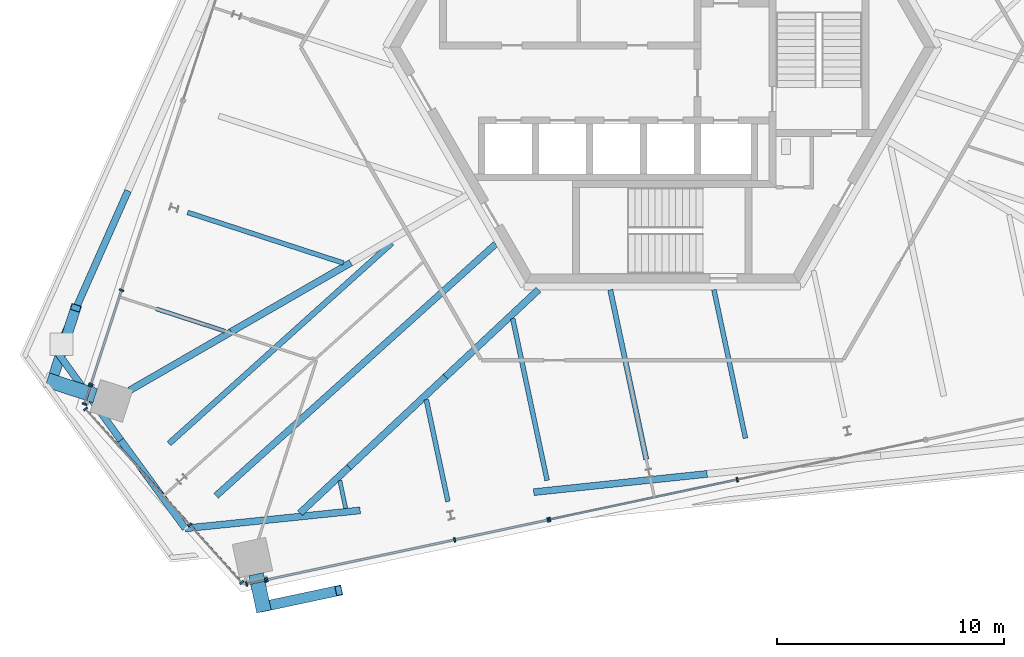
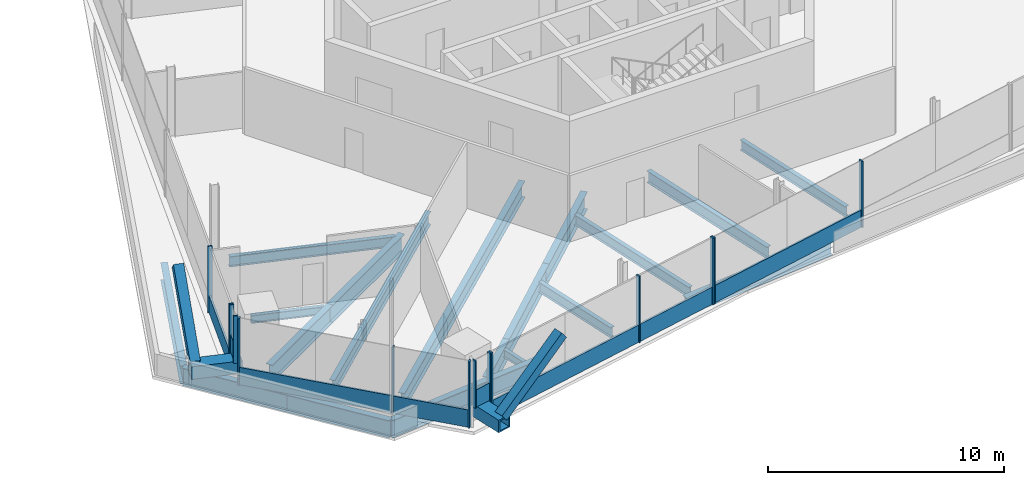
# One storey, part 4 of 20: 26 members, 19 beams, 6 elements without a shape of their own.
"""IFC4 building model written with IfcOpenShell, lengths in metres."""

import ifcopenshell
import ifcopenshell.guid

model = None  # the IFC model being written
_history = None  # IfcOwnerHistory: only IFC2X3 demands one
_inside = {}  # id of a spatial element -> (the spatial element, [elements in it])
_under = {}  # id of a project, library or spatial element -> (it, [spatial elements below it])
_declared = {}  # id of a project -> (the project, [libraries it declares])
_typed = {}  # id of a type object -> (the type object, [elements of that type])
_made_of = {}  # id of a material, layer set ... -> (it, [elements and type objects made of it])


def new_model(schema):
    """Start an empty IFC model of exactly this schema.

    Asked for "IFC4X3", IfcOpenShell would pick the latest addendum, in which some entities
    have other attributes; the version numbers below select the first issue.
    IFC2X3 requires an IfcOwnerHistory on every rooted entity: one is made here for all.
    """
    global model, _history
    if schema == "IFC4X3":
        model = ifcopenshell.file(schema_version=(4, 3, 0, 0))
    else:
        model = ifcopenshell.file(schema=schema)
    _inside.clear()
    _under.clear()
    _declared.clear()
    _typed.clear()
    _made_of.clear()
    _history = None
    if model.schema == "IFC2X3":
        org = make("IfcOrganization", Name="unknown")
        user = make(
            "IfcPersonAndOrganization",
            ThePerson=make("IfcPerson", FamilyName="unknown"),
            TheOrganization=org,
        )
        app = make(
            "IfcApplication",
            ApplicationDeveloper=org,
            Version="unknown",
            ApplicationFullName="unknown",
            ApplicationIdentifier="unknown",
        )
        _history = make(
            "IfcOwnerHistory",
            OwningUser=user,
            OwningApplication=app,
            ChangeAction="ADDED",
            CreationDate=0,
        )
    return model


def make(cls, **values):
    """One entity of the class cls with the attributes given. An attribute that is None is left unset."""
    return model.create_entity(
        cls, **{name: value for name, value in values.items() if value is not None}
    )


def rooted(cls, **values):
    """An entity with a GlobalId (a new one), such as an element, a storey or a relation."""
    return make(cls, GlobalId=ifcopenshell.guid.new(), OwnerHistory=_history, **values)


def si_unit(unit_type, name, prefix=None):
    """IfcSIUnit, for example si_unit("LENGTHUNIT", "METRE", prefix="MILLI")."""
    return make("IfcSIUnit", UnitType=unit_type, Prefix=prefix, Name=name)


def assignment(units):
    """IfcUnitAssignment: the units of a project."""
    return None if units is None else make("IfcUnitAssignment", Units=units)


def point(xyz):
    """IfcCartesianPoint."""
    return None if xyz is None else make("IfcCartesianPoint", Coordinates=xyz)


def direction(xyz):
    """IfcDirection."""
    return None if xyz is None else make("IfcDirection", DirectionRatios=xyz)


def frame(location, z_axis=None, x_axis=None):
    """IfcAxis2Placement3D, a coordinate frame: its origin and axes. An axis left out is left unset."""
    return make(
        "IfcAxis2Placement3D",
        Location=point(location),
        Axis=direction(z_axis),
        RefDirection=direction(x_axis),
    )


def frame_2d(location, x_axis=None):
    """IfcAxis2Placement2D, a coordinate frame in the plane: its origin and x axis."""
    return make(
        "IfcAxis2Placement2D", Location=point(location), RefDirection=direction(x_axis)
    )


def origin():
    """The frame at (0, 0, 0) with its axes left unset."""
    return frame((0.0, 0.0, 0.0))


def origin_2d():
    """The frame at (0, 0) in the plane with its x axis left unset."""
    return frame_2d((0.0, 0.0))


def place(relative_to, where):
    """IfcLocalPlacement: puts the frame where relative to a parent placement (None: the world)."""
    return make(
        "IfcLocalPlacement", PlacementRelTo=relative_to, RelativePlacement=where
    )


def context(
    kind, dimensions, precision=None, world=None, true_north=None, identifier=None
):
    """IfcGeometricRepresentationContext, for example the 3D "Model" context."""
    return make(
        "IfcGeometricRepresentationContext",
        ContextIdentifier=identifier,
        ContextType=kind,
        CoordinateSpaceDimension=dimensions,
        Precision=precision,
        WorldCoordinateSystem=world,
        TrueNorth=true_north,
    )


def subcontext(parent, identifier, kind, view, scale=None):
    """IfcGeometricRepresentationSubContext, for example "Body" below "Model"."""
    return make(
        "IfcGeometricRepresentationSubContext",
        ContextIdentifier=identifier,
        ContextType=kind,
        ParentContext=parent,
        TargetScale=scale,
        TargetView=view,
    )


def project(units=None, contexts=None):
    """IfcProject with its units and contexts."""
    return rooted(
        "IfcProject",
        Name="project",
        RepresentationContexts=contexts,
        UnitsInContext=assignment(units),
    )


def spatial(cls, under=None, at=None, **own):
    """A site, building, storey or space (cls), placed at a placement, below another one or the project."""
    s = rooted(cls, ObjectPlacement=at, **own)
    if under is not None:
        _under.setdefault(under.id(), (under, []))[1].append(s)
    return s


def profile(cls, at=None, kind="AREA", **sizes):
    """A parametric profile (cls). Its sizes go by their IFC names, for example OverallWidth=200.0."""
    return make(cls, ProfileType=kind, Position=at, **sizes)


def rectangle(**sizes):
    """IfcRectangleProfileDef."""
    return profile("IfcRectangleProfileDef", **sizes)


def hollow_rectangle(**sizes):
    """IfcRectangleHollowProfileDef."""
    return profile("IfcRectangleHollowProfileDef", **sizes)


def i_section(**sizes):
    """IfcIShapeProfileDef."""
    return profile("IfcIShapeProfileDef", **sizes)


def extrude(swept, where, along, depth):
    """IfcExtrudedAreaSolid: the profile swept, set in the frame where, extruded along a direction by depth."""
    return make(
        "IfcExtrudedAreaSolid",
        SweptArea=swept,
        Position=where,
        ExtrudedDirection=direction(along),
        Depth=depth,
    )


def shape(context_of_items, identifier, shape_type, items):
    """IfcShapeRepresentation: the items that make up one representation, for example the "Body"."""
    return make(
        "IfcShapeRepresentation",
        ContextOfItems=context_of_items,
        RepresentationIdentifier=identifier,
        RepresentationType=shape_type,
        Items=items,
    )


def source(mapping_origin, context_of_items, identifier, shape_type, items):
    """IfcRepresentationMap: a shape defined once, which mapped items show again and again."""
    return make(
        "IfcRepresentationMap",
        MappingOrigin=mapping_origin,
        MappedRepresentation=shape(context_of_items, identifier, shape_type, items),
    )


def transform(
    local_origin,
    x_axis=None,
    y_axis=None,
    z_axis=None,
    scale=None,
    scale2=None,
    scale3=None,
    uniform=True,
):
    """IfcCartesianTransformationOperator3D, or its non-uniform kind. x_axis, y_axis, z_axis: its Axis1, 2, 3."""
    if uniform:
        return make(
            "IfcCartesianTransformationOperator3D",
            Axis1=direction(x_axis),
            Axis2=direction(y_axis),
            LocalOrigin=point(local_origin),
            Scale=scale,
            Axis3=direction(z_axis),
        )
    return make(
        "IfcCartesianTransformationOperator3DnonUniform",
        Axis1=direction(x_axis),
        Axis2=direction(y_axis),
        LocalOrigin=point(local_origin),
        Scale=scale,
        Axis3=direction(z_axis),
        Scale2=scale2,
        Scale3=scale3,
    )


def mapped(mapping_source, mapping_target):
    """IfcMappedItem: shows the shape of a source again, moved by a transform."""
    return make(
        "IfcMappedItem", MappingSource=mapping_source, MappingTarget=mapping_target
    )


def material(Name=None, Category=None):
    """IfcMaterial."""
    return make("IfcMaterial", Name=Name, Category=Category)


def material_profile(
    of_material, cross_section, Name=None, Category=None, Priority=None
):
    """IfcMaterialProfile: a cross section and its material."""
    return make(
        "IfcMaterialProfile",
        Name=Name,
        Material=of_material,
        Profile=cross_section,
        Priority=Priority,
        Category=Category,
    )


def profile_set(profiles, Name=None, composite=None):
    """IfcMaterialProfileSet."""
    return make(
        "IfcMaterialProfileSet",
        Name=Name,
        MaterialProfiles=profiles,
        CompositeProfile=composite,
    )


def made_of(thing, what):
    """Note that an element or type object is made of a material, layer set ...; save() writes the relation."""
    if what is not None:
        _made_of.setdefault(what.id(), (what, []))[1].append(thing)
    return thing


def type_object(cls, material=None, **own):
    """A type object (cls), such as IfcWallType, which elements share."""
    return made_of(rooted(cls, **own), material)


def element(
    cls,
    number,
    at=None,
    inside=None,
    cuts=None,
    type_object=None,
    material=None,
    context=None,
    identifier="Body",
    shape_type=None,
    held_by="IfcProductDefinitionShape",
    body=None,
    shapes=None,
    **own,
):
    """One element of the class cls, such as IfcWall. Its Tag is "e" and its number.

    at: its placement. inside: the storey or other place that contains it. cuts: it is an
    opening in that element (IfcRelVoidsElement). A single representation is given by context,
    identifier, shape_type and body (its items); several are given by shapes. held_by: the class
    of the entity that holds the representations. save() writes the other relations.
    """
    e = rooted(cls, Tag="e%d" % number, ObjectPlacement=at, **own)
    if body is not None:
        shapes = [shape(context, identifier, shape_type, body)]
    if shapes is not None:
        e.Representation = make(held_by, Representations=shapes)
    if inside is not None:
        _inside.setdefault(inside.id(), (inside, []))[1].append(e)
    if cuts is not None:
        rooted(
            "IfcRelVoidsElement", RelatingBuildingElement=cuts, RelatedOpeningElement=e
        )
    if type_object is not None:
        _typed.setdefault(type_object.id(), (type_object, []))[1].append(e)
    return made_of(e, material)


def aggregate(whole, parts):
    """IfcRelAggregates: a whole, such as a stair, and the parts it consists of."""
    return rooted("IfcRelAggregates", RelatingObject=whole, RelatedObjects=parts)


def save(model, path):
    """Write the relations noted so far, then the file.

    IfcRelAggregates (storeys below a building ...), IfcRelContainedInSpatialStructure (elements
    in a storey), IfcRelDefinesByType, IfcRelAssociatesMaterial and IfcRelDeclares: one each for
    every whole, place, type object, material and project.
    """
    for whole, parts in _under.values():
        aggregate(whole, parts)
    for where, things in _inside.values():
        rooted(
            "IfcRelContainedInSpatialStructure",
            RelatedElements=things,
            RelatingStructure=where,
        )
    for kind, things in _typed.values():
        rooted("IfcRelDefinesByType", RelatedObjects=things, RelatingType=kind)
    for what, things in _made_of.values():
        rooted("IfcRelAssociatesMaterial", RelatedObjects=things, RelatingMaterial=what)
    for by, libraries in _declared.values():
        rooted("IfcRelDeclares", RelatingContext=by, RelatedDefinitions=libraries)
    model.write(path)


model = new_model("IFC4")

# Units and contexts
model_context = context("Model", 3, precision=1e-05, world=origin(), true_north=direction((0.0, 1.0)))
body_context = subcontext(model_context, "Body", "Model", "MODEL_VIEW")
ifc_project = project(units=[si_unit("LENGTHUNIT", "METRE"), si_unit("AREAUNIT", "SQUARE_METRE"), si_unit("VOLUMEUNIT", "CUBIC_METRE"), si_unit("PLANEANGLEUNIT", "RADIAN"), si_unit("MASSUNIT", "GRAM", prefix="KILO")], contexts=[model_context])

# Site, building, storey
site_placement = place(None, origin())
site = spatial("IfcSite", under=ifc_project, at=site_placement, CompositionType="ELEMENT")
building_placement = place(site_placement, origin())
building = spatial("IfcBuilding", under=site, at=building_placement, Name="Triune Harvest Tower", CompositionType="ELEMENT")
storey_placement = place(building_placement, frame((0.0, 0.0, 259.5)))
storey = spatial("IfcBuildingStorey", under=building, at=storey_placement, Name="L68", CompositionType="ELEMENT", Elevation=259.5)

# Beams
ifc_material_1 = material(Name="Steel ASTM A992 Gr 50", Category="steel")
ifc_material_profile_1 = material_profile(ifc_material_1, i_section(OverallWidth=0.3046875, OverallDepth=0.914306640625, WebThickness=0.0166015625, FlangeThickness=0.02587890625, at=origin_2d()), Name="W36x160")
ifc_profile_set_1 = profile_set([ifc_material_profile_1], Name="Steel ASTM A992 Gr 50")
beam_type_1 = type_object("IfcBeamType", Name="HG-3 Hip girder W36x160", PredefinedType="BEAM", material=ifc_profile_set_1)
beam_1_placement = place(storey_placement, frame((-23.439697265625, -15.122802734375, -0.6171875), z_axis=(0.866022940537, 0.500004266446, 0.0), x_axis=(-0.500004266446, 0.866022940537, 0.0)))
element("IfcBeam", 1, at=beam_1_placement, inside=storey, type_object=beam_type_1, Name="beam/L68/HG7", PredefinedType="BEAM", context=body_context, shape_type="SweptSolid", body=[
    extrude(i_section(OverallWidth=0.3046875, OverallDepth=0.914306640625, WebThickness=0.0166015625, FlangeThickness=0.02587890625, at=origin_2d()), origin(), (0.0, 0.0, 1.0), 5.1494140625),
])
beam_2_placement = place(storey_placement, frame((-18.980224609375, -12.548095703125, -0.6171875), z_axis=(0.866019173032, 0.500010791825, 0.0), x_axis=(-0.500010791825, 0.866019173032, 0.0)))
element("IfcBeam", 2, at=beam_2_placement, inside=storey, type_object=beam_type_1, Name="beam/L68/HG8", PredefinedType="BEAM", context=body_context, shape_type="SweptSolid", body=[
    extrude(i_section(OverallWidth=0.3046875, OverallDepth=0.914306640625, WebThickness=0.0166015625, FlangeThickness=0.02587890625, at=origin_2d()), origin(), (0.0, 0.0, 1.0), 6.083251953125),
])
beam_3_placement = place(storey_placement, frame((-15.949951171875, -20.52978515625, -0.6171875), z_axis=(0.729855958131, 0.683600965755, 0.0), x_axis=(-0.683600965755, 0.729855958131, 0.0)))
element("IfcBeam", 3, at=beam_3_placement, inside=storey, type_object=beam_type_1, Name="beam/L68/HG10", PredefinedType="BEAM", context=body_context, shape_type="SweptSolid", body=[
    extrude(i_section(OverallWidth=0.3046875, OverallDepth=0.914306640625, WebThickness=0.0166015625, FlangeThickness=0.02587890625, at=origin_2d()), origin(), (0.0, 0.0, 1.0), 2.9609375),
])
beam_4_placement = place(storey_placement, frame((-13.788818359375, -18.505615234375, -0.6171875), z_axis=(0.72991101913, 0.683542174377, 0.0), x_axis=(-0.683542174377, 0.72991101913, 0.0)))
element("IfcBeam", 4, at=beam_4_placement, inside=storey, type_object=beam_type_1, Name="beam/L68/HG11", PredefinedType="BEAM", context=body_context, shape_type="SweptSolid", body=[
    extrude(i_section(OverallWidth=0.3046875, OverallDepth=0.914306640625, WebThickness=0.0166015625, FlangeThickness=0.02587890625, at=origin_2d()), origin(), (0.0, 0.0, 1.0), 5.8232421875),
])
beam_5_placement = place(storey_placement, frame((-9.538330078125, -14.525146484375, -0.6171875), z_axis=(0.72989736669, 0.683556752654, 0.0), x_axis=(-0.683556752654, 0.72989736669, 0.0)))
element("IfcBeam", 5, at=beam_5_placement, inside=storey, type_object=beam_type_1, Name="beam/L68/HG12", PredefinedType="BEAM", context=body_context, shape_type="SweptSolid", body=[
    extrude(i_section(OverallWidth=0.3046875, OverallDepth=0.914306640625, WebThickness=0.0166015625, FlangeThickness=0.02587890625, at=origin_2d()), origin(), (0.0, 0.0, 1.0), 5.600341796875),
])
ifc_material_2 = material(Name="Steel ASTM A992 Gr 50", Category="steel")
ifc_material_profile_2 = material_profile(ifc_material_2, i_section(OverallWidth=0.2099609375, OverallDepth=0.535888671875, WebThickness=0.010986328125, FlangeThickness=0.017333984375, at=origin_2d()), Name="W21x68")
ifc_profile_set_2 = profile_set([ifc_material_profile_2], Name="Steel ASTM A992 Gr 50")
beam_type_2 = type_object("IfcBeamType", Name="JT-2 Floor joist W21x68", PredefinedType="JOIST", material=ifc_profile_set_2)
beam_6_placement = place(storey_placement, frame((-9.43603515625, -20.018798828125, -0.427978515625), z_axis=(-0.207922403659, 0.978145323588, 0.0), x_axis=(-0.978145323588, -0.207922403659, 0.0)))
element("IfcBeam", 6, at=beam_6_placement, inside=storey, type_object=beam_type_2, Name="beam/L68/JT24", PredefinedType="JOIST", context=body_context, shape_type="SweptSolid", body=[
    extrude(i_section(OverallWidth=0.2099609375, OverallDepth=0.535888671875, WebThickness=0.010986328125, FlangeThickness=0.017333984375, at=origin_2d()), origin(), (0.0, 0.0, 1.0), 4.587646484375),
])
beam_7_placement = place(storey_placement, frame((3.663330078125, -17.234375, -0.427978515625), z_axis=(-0.207924725423, 0.978144830052, 0.0), x_axis=(-0.978144830052, -0.207924725423, 0.0)))
element("IfcBeam", 7, at=beam_7_placement, inside=storey, type_object=beam_type_2, Name="beam/L68/JT27", PredefinedType="JOIST", context=body_context, shape_type="SweptSolid", body=[
    extrude(i_section(OverallWidth=0.2099609375, OverallDepth=0.535888671875, WebThickness=0.010986328125, FlangeThickness=0.017333984375, at=origin_2d()), origin(), (0.0, 0.0, 1.0), 6.683349609375),
])
ifc_material_3 = material(Name="Steel ASTM A992 Gr 50", Category="steel")
ifc_material_profile_3 = material_profile(ifc_material_3, i_section(OverallWidth=0.2919921875, OverallDepth=0.8408203125, WebThickness=0.0146484375, FlangeThickness=0.021728515625, at=origin_2d()), Name="W33x130")
ifc_profile_set_3 = profile_set([ifc_material_profile_3], Name="Steel ASTM A992 Gr 50")
beam_type_3 = type_object("IfcBeamType", Name="JT-6 Floor joist W33x130", PredefinedType="JOIST", material=ifc_profile_set_3)
beam_8_placement = place(storey_placement, frame((-19.64453125, -19.769287109375, -0.580322265625), z_axis=(0.743144601832, 0.669130854742, 0.0), x_axis=(-0.669130854742, 0.743144601832, 0.0)))
element("IfcBeam", 8, at=beam_8_placement, inside=storey, type_object=beam_type_3, Name="beam/L68/JT22", PredefinedType="JOIST", context=body_context, shape_type="SweptSolid", body=[
    extrude(i_section(OverallWidth=0.2919921875, OverallDepth=0.8408203125, WebThickness=0.0146484375, FlangeThickness=0.021728515625, at=origin_2d()), origin(), (0.0, 0.0, 1.0), 16.562255859375),
])
ifc_material_4 = material(Name="Steel ASTM A992 Gr 50", Category="steel")
ifc_material_profile_4 = material_profile(ifc_material_4, i_section(OverallWidth=0.3046875, OverallDepth=0.914306640625, WebThickness=0.0166015625, FlangeThickness=0.02587890625, at=origin_2d()), Name="W36x160")
ifc_profile_set_4 = profile_set([ifc_material_profile_4], Name="Steel ASTM A992 Gr 50")
beam_type_4 = type_object("IfcBeamType", Name="SB-1 Spandrel beam W36x160", PredefinedType="SPANDREL", material=ifc_profile_set_4)
shared_shape_1 = source(origin(), body_context, "Body", "SweptSolid", [
    extrude(i_section(OverallWidth=0.3046875, OverallDepth=0.914306640625, WebThickness=0.0166015625, FlangeThickness=0.02587890625, at=origin_2d()), origin(), (0.0, 0.0, 1.0), 7.7392578125),
])
beam_9_placement = place(storey_placement, frame((-23.520263671875, -6.340576171875, -0.6171875), z_axis=(-0.404856079697, -0.914380421232, 0.0), x_axis=(0.914380421232, -0.404856079697, 0.0)))
element("IfcBeam", 9, at=beam_9_placement, inside=storey, type_object=beam_type_4, Name="beam/L68/WB12", PredefinedType="SPANDREL", context=body_context, shape_type="MappedRepresentation", body=[
    mapped(shared_shape_1, transform((0.0, 0.0, 0.0), scale=1.0)),
])
shared_shape_2 = source(origin(), body_context, "Body", "SweptSolid", [
    extrude(i_section(OverallWidth=0.3046875, OverallDepth=0.914306640625, WebThickness=0.0166015625, FlangeThickness=0.02587890625, at=origin_2d()), origin(), (0.0, 0.0, 1.0), 7.67919921875),
])
beam_10_placement = place(storey_placement, frame((-5.660888671875, -19.60693359375, -0.6171875), z_axis=(0.994521467985, 0.104532529465, 0.0), x_axis=(-0.104532529465, 0.994521467985, 0.0)))
element("IfcBeam", 10, at=beam_10_placement, inside=storey, type_object=beam_type_4, Name="beam/L68/WB16", PredefinedType="SPANDREL", context=body_context, shape_type="MappedRepresentation", body=[
    mapped(shared_shape_2, transform((0.0, 0.0, 0.0), scale=1.0)),
])
shared_shape_3 = source(origin(), body_context, "Body", "SweptSolid", [
    extrude(i_section(OverallWidth=0.3046875, OverallDepth=0.914306640625, WebThickness=0.0166015625, FlangeThickness=0.02587890625, at=origin_2d()), origin(), (0.0, 0.0, 1.0), 7.739501953125),
])
beam_11_placement = place(storey_placement, frame((-20.9970703125, -21.202880859375, -0.6171875), z_axis=(0.9947373433, 0.10245788327, 0.0), x_axis=(-0.10245788327, 0.9947373433, 0.0)))
element("IfcBeam", 11, at=beam_11_placement, inside=storey, type_object=beam_type_4, Name="beam/L68/WB15", PredefinedType="SPANDREL", context=body_context, shape_type="MappedRepresentation", body=[
    mapped(shared_shape_3, transform((0.0, 0.0, 0.0), scale=1.0)),
])
shared_shape_4 = source(origin(), body_context, "Body", "SweptSolid", [
    extrude(i_section(OverallWidth=0.3046875, OverallDepth=0.914306640625, WebThickness=0.0166015625, FlangeThickness=0.02587890625, at=origin_2d()), origin(), (0.0, 0.0, 1.0), 4.811767578125),
])
for number, where, z_axis, x_axis, name in (
    (12, (-26.653564453125, -13.417236328125, -0.6171875), (0.585056986572, -0.810992183971, 0.0), (0.810992183971, 0.585056986572, 0.0), "beam/L68/WB13"),
    (13, (-23.83837890625, -17.319580078125, -0.6171875), (0.590492262378, -0.807043299998, 0.0), (0.807043299998, 0.590492262378, 0.0), "beam/L68/WB14"),
):
    element("IfcBeam", number, at=place(storey_placement, frame(where, z_axis=z_axis, x_axis=x_axis)), inside=storey, type_object=beam_type_4, Name=name, PredefinedType="SPANDREL", context=body_context, shape_type="MappedRepresentation", body=[
        mapped(shared_shape_4, transform((0.0, 0.0, 0.0), scale=1.0)),
    ])
ifc_material_5 = material(Name="Steel ASTM A992 Gr 50", Category="steel")
ifc_material_profile_5 = material_profile(ifc_material_5, i_section(OverallWidth=0.180908203125, OverallDepth=0.41650390625, WebThickness=0.010986328125, FlangeThickness=0.01806640625, at=origin_2d()), Name="W16x57")
ifc_profile_set_5 = profile_set([ifc_material_profile_5], Name="Steel ASTM A992 Gr 50")
beam_type_5 = type_object("IfcBeamType", Name="JT-1 Floor joist W16x57", PredefinedType="JOIST", material=ifc_profile_set_5)
shared_shape_5 = source(origin(), body_context, "Body", "SweptSolid", [
    extrude(i_section(OverallWidth=0.180908203125, OverallDepth=0.41650390625, WebThickness=0.010986328125, FlangeThickness=0.01806640625, at=origin_2d()), origin(), (0.0, 0.0, 1.0), 1.253662109375),
])
beam_12_placement = place(storey_placement, frame((-13.935302734375, -20.322265625, -0.368408203125), z_axis=(-0.207972874024, 0.978134593842, 0.0), x_axis=(-0.978134593842, -0.207972874024, 0.0)))
element("IfcBeam", 14, at=beam_12_placement, inside=storey, type_object=beam_type_5, Name="beam/L68/JT23", PredefinedType="JOIST", context=body_context, shape_type="MappedRepresentation", body=[
    mapped(shared_shape_5, transform((0.0, 0.0, 0.0), scale=1.0)),
])
shared_shape_6 = source(origin(), body_context, "Body", "SweptSolid", [
    extrude(i_section(OverallWidth=0.2099609375, OverallDepth=0.535888671875, WebThickness=0.010986328125, FlangeThickness=0.017333984375, at=origin_2d()), origin(), (0.0, 0.0, 1.0), 7.208740234375),
])
beam_13_placement = place(storey_placement, frame((-20.895263671875, -7.2919921875, -0.427978515625), z_axis=(0.951060446887, -0.309004896994, 0.0), x_axis=(0.309004896994, 0.951060446887, 0.0)))
element("IfcBeam", 15, at=beam_13_placement, inside=storey, type_object=beam_type_2, Name="beam/L68/JT19", PredefinedType="JOIST", context=body_context, shape_type="MappedRepresentation", body=[
    mapped(shared_shape_6, transform((0.0, 0.0, 0.0), scale=1.0)),
])
shared_shape_7 = source(origin(), body_context, "Body", "SweptSolid", [
    extrude(i_section(OverallWidth=0.180908203125, OverallDepth=0.41650390625, WebThickness=0.010986328125, FlangeThickness=0.01806640625, at=origin_2d()), origin(), (0.0, 0.0, 1.0), 3.189208984375),
])
beam_14_placement = place(storey_placement, frame((-22.274658203125, -11.537353515625, -0.368408203125), z_axis=(0.951052068604, -0.309030682627, 0.0), x_axis=(0.309030682627, 0.951052068604, 0.0)))
element("IfcBeam", 16, at=beam_14_placement, inside=storey, type_object=beam_type_5, Name="beam/L68/JT20", PredefinedType="JOIST", context=body_context, shape_type="MappedRepresentation", body=[
    mapped(shared_shape_7, transform((0.0, 0.0, 0.0), scale=1.0)),
])
ifc_material_6 = material(Name="Steel ASTM A992 Gr 50", Category="steel")
ifc_material_profile_6 = material_profile(ifc_material_6, i_section(OverallWidth=0.253662109375, OverallDepth=0.683349609375, WebThickness=0.012451171875, FlangeThickness=0.01904296875, at=origin_2d()), Name="W27x94")
ifc_profile_set_6 = profile_set([ifc_material_profile_6], Name="Steel ASTM A992 Gr 50")
beam_type_6 = type_object("IfcBeamType", Name="JT-4 Floor joist W27x94", PredefinedType="JOIST", material=ifc_profile_set_6)
shared_shape_8 = source(origin(), body_context, "Body", "SweptSolid", [
    extrude(i_section(OverallWidth=0.253662109375, OverallDepth=0.683349609375, WebThickness=0.012451171875, FlangeThickness=0.01904296875, at=origin_2d()), origin(), (0.0, 0.0, 1.0), 13.1953125),
])
beam_15_placement = place(storey_placement, frame((-21.71435546875, -17.470458984375, -0.501708984375), z_axis=(0.743150611005, 0.669124180824, 0.0), x_axis=(-0.669124180824, 0.743150611005, 0.0)))
element("IfcBeam", 17, at=beam_15_placement, inside=storey, type_object=beam_type_6, Name="beam/L68/JT21", PredefinedType="JOIST", context=body_context, shape_type="MappedRepresentation", body=[
    mapped(shared_shape_8, transform((0.0, 0.0, 0.0), scale=1.0)),
])
shared_shape_9 = source(origin(), body_context, "Body", "SweptSolid", [
    extrude(i_section(OverallWidth=0.2099609375, OverallDepth=0.535888671875, WebThickness=0.010986328125, FlangeThickness=0.017333984375, at=origin_2d()), origin(), (0.0, 0.0, 1.0), 7.28271484375),
])
beam_16_placement = place(storey_placement, frame((-5.069580078125, -19.090576171875, -0.427978515625), z_axis=(-0.207912481244, 0.978147432723, 0.0), x_axis=(-0.978147432723, -0.207912481244, 0.0)))
element("IfcBeam", 18, at=beam_16_placement, inside=storey, type_object=beam_type_2, Name="beam/L68/JT25", PredefinedType="JOIST", context=body_context, shape_type="MappedRepresentation", body=[
    mapped(shared_shape_9, transform((0.0, 0.0, 0.0), scale=1.0)),
])
ifc_material_7 = material(Name="Steel ASTM A992 Gr 50", Category="steel")
ifc_material_profile_7 = material_profile(ifc_material_7, i_section(OverallWidth=0.22900390625, OverallDepth=0.612060546875, WebThickness=0.011962890625, FlangeThickness=0.01953125, at=origin_2d()), Name="W24x84")
ifc_profile_set_7 = profile_set([ifc_material_profile_7], Name="Steel ASTM A992 Gr 50")
beam_type_7 = type_object("IfcBeamType", Name="JT-3 Floor joist W24x84", PredefinedType="JOIST", material=ifc_profile_set_7)
shared_shape_10 = source(origin(), body_context, "Body", "SweptSolid", [
    extrude(i_section(OverallWidth=0.22900390625, OverallDepth=0.612060546875, WebThickness=0.011962890625, FlangeThickness=0.01953125, at=origin_2d()), origin(), (0.0, 0.0, 1.0), 7.632080078125),
])
beam_17_placement = place(storey_placement, frame((-0.703125, -18.162353515625, -0.466064453125), z_axis=(-0.207925324344, 0.978144702739, 0.0), x_axis=(-0.978144702739, -0.207925324344, 0.0)))
element("IfcBeam", 19, at=beam_17_placement, inside=storey, type_object=beam_type_7, Name="beam/L68/JT26", PredefinedType="JOIST", context=body_context, shape_type="MappedRepresentation", body=[
    mapped(shared_shape_10, transform((0.0, 0.0, 0.0), scale=1.0)),
])

# Members
ifc_material_8 = material(Name="Steel ASTM A572 Gr 50", Category="steel")
ifc_material_profile_8 = material_profile(ifc_material_8, hollow_rectangle(XDim=0.64990234375, YDim=0.64990234375, WallThickness=0.070068359375, at=origin_2d()), Name="Box 650x650x70")
ifc_profile_set_8 = profile_set([ifc_material_profile_8], Name="Steel ASTM A572 Gr 50")
member_type_1 = type_object("IfcMemberType", Name="BS-1 Brace stub Box 650x650x70", PredefinedType="STRUT", material=ifc_profile_set_8)
shared_shape_11 = source(origin(), body_context, "Body", "SweptSolid", [
    extrude(hollow_rectangle(XDim=0.64990234375, YDim=0.64990234375, WallThickness=0.070068359375, at=origin_2d()), origin(), (0.0, 0.0, 1.0), 1.673095703125),
])
member_1_placement = place(storey_placement, frame((-17.88330078125, -23.2197265625, 0.60009765625), z_axis=(0.207944272914, -0.978140674628, 0.0), x_axis=(0.978140674628, 0.207944272914, 0.0)))
element("IfcMember", 20, at=member_1_placement, inside=storey, type_object=member_type_1, Name="brace/B7-F5/stub1", PredefinedType="STRUT", context=body_context, shape_type="MappedRepresentation", body=[
    mapped(shared_shape_11, transform((0.0, 0.0, 0.0), scale=1.0)),
])
shared_shape_12 = source(origin(), body_context, "Body", "SweptSolid", [
    extrude(hollow_rectangle(XDim=0.64990234375, YDim=0.64990234375, WallThickness=0.070068359375, at=origin_2d()), origin(), (0.0, 0.0, 1.0), 2.222900390625),
])
member_2_placement = place(storey_placement, frame((-24.9619140625, -15.35791015625, 0.60009765625), z_axis=(-0.951082481773, 0.308937069426, 0.0), x_axis=(-0.308937069426, -0.951082481773, 0.0)))
element("IfcMember", 21, at=member_2_placement, inside=storey, type_object=member_type_1, Name="brace/B7-F3/stub3", PredefinedType="STRUT", context=body_context, shape_type="MappedRepresentation", body=[
    mapped(shared_shape_12, transform((0.0, 0.0, 0.0), scale=1.0)),
])
ifc_material_9 = material(Name="Steel ASTM A572 Gr 50", Category="steel")
ifc_material_profile_9 = material_profile(ifc_material_9, hollow_rectangle(XDim=0.449951171875, YDim=0.449951171875, WallThickness=0.02490234375, at=origin_2d()), Name="Box 450x450x25")
ifc_profile_set_9 = profile_set([ifc_material_profile_9], Name="Steel ASTM A572 Gr 50")
member_type_2 = type_object("IfcMemberType", Name="BR-4 Brace Box 450x450x25", PredefinedType="BRACE", material=ifc_profile_set_9)
shared_shape_13 = source(origin(), body_context, "Body", "SweptSolid", [
    extrude(hollow_rectangle(XDim=0.449951171875, YDim=0.449951171875, WallThickness=0.02490234375, at=origin_2d()), origin(), (0.0, 0.0, 1.0), 4.358154296875),
])
for number, where, z_axis, x_axis, name in (
    (22, (-26.8740234375, -14.73681640625, 0.889892578125), (0.24200574583, 0.744783886763, 0.621876338996), (-0.951052466278, 0.309029458768, 0.0), "brace/B7-F3/d2/1"),
    (23, (-17.57958984375, -24.6484375, 0.889892578125), (0.76601097777, 0.162792738145, 0.621872741277), (-0.207877577684, 0.978154851083, 0.0), "brace/B7-F5/d1/1"),
):
    element("IfcMember", number, at=place(storey_placement, frame(where, z_axis=z_axis, x_axis=x_axis)), inside=storey, type_object=member_type_2, Name=name, PredefinedType="BRACE", context=body_context, shape_type="MappedRepresentation", body=[
        mapped(shared_shape_13, transform((0.0, 0.0, 0.0), scale=1.0)),
    ])

# Curtain wall, members
ifc_material_10 = material(Name="Aluminium bronze anodised", Category="aluminium")
curtain_wall_type_1 = type_object("IfcCurtainWallType", Name="CW-1 Tower stick curtain wall", PredefinedType="NOTDEFINED", material=ifc_material_10)
curtain_wall_1_placement = place(storey_placement, origin())
curtain_wall_1 = element("IfcCurtainWall", 24, at=curtain_wall_1_placement, inside=storey, type_object=curtain_wall_type_1, Name="CW-1 B7-F3 L68 run 201")
ifc_material_11 = material(Name="Aluminium bronze anodised", Category="aluminium")
ifc_material_profile_10 = material_profile(ifc_material_11, rectangle(XDim=0.199951171875, YDim=0.074951171875, at=origin_2d()), Name="MU-1 mullion 75 x 200")
ifc_profile_set_10 = profile_set([ifc_material_profile_10], Name="Aluminium bronze anodised")
member_type_3 = type_object("IfcMemberType", Name="MU-1 mullion 75 x 200", PredefinedType="MULLION", material=ifc_profile_set_10)
shared_shape_14 = source(origin(), body_context, "Body", "SweptSolid", [
    extrude(rectangle(XDim=0.199951171875, YDim=0.074951171875, at=origin_2d()), origin(), (0.0, 0.0, 1.0), 2.454833984375),
])
member_3_placement = place(storey_placement, frame((-25.173583984375, -14.923828125, 0.985107421875), z_axis=(0.0, 0.0, 1.0), x_axis=(0.951053197617, -0.309027208029, 0.0)))
member_3 = element("IfcMember", 25, at=member_3_placement, type_object=member_type_3, Name="CW-1 mullion B7-F3 201.1", PredefinedType="MULLION", context=body_context, shape_type="MappedRepresentation", body=[
    mapped(shared_shape_14, transform((0.0, 0.0, 0.0), scale=1.0)),
])
member_4_placement = place(storey_placement, frame((-25.435302734375, -15.729248046875, 0.985107421875), z_axis=(0.0, 0.0, 1.0), x_axis=(0.951053197617, -0.309027208029, 0.0)))
member_4 = element("IfcMember", 26, at=member_4_placement, type_object=member_type_3, Name="CW-1 mullion B7-F3 201.2", PredefinedType="MULLION", context=body_context, shape_type="MappedRepresentation", body=[
    mapped(shared_shape_14, transform((0.0, 0.0, 0.0), scale=1.0)),
])

curtain_wall_2_placement = place(storey_placement, origin())
curtain_wall_2 = element("IfcCurtainWall", 27, at=curtain_wall_2_placement, inside=storey, type_object=curtain_wall_type_1, Name="CW-1 B7-F5 L68 run 1")
member_5_placement = place(storey_placement, frame((-18.3017578125, -23.65185546875, 0.985107421875), z_axis=(0.0, 0.0, 1.0), x_axis=(-0.207950868928, 0.978139272349, 0.0)))
member_5 = element("IfcMember", 28, at=member_5_placement, type_object=member_type_3, Name="CW-1 mullion B7-F5 1.1", PredefinedType="MULLION", context=body_context, shape_type="MappedRepresentation", body=[
    mapped(shared_shape_14, transform((0.0, 0.0, 0.0), scale=1.0)),
])
member_6_placement = place(storey_placement, frame((-17.473388671875, -23.475830078125, 0.985107421875), z_axis=(0.0, 0.0, 1.0), x_axis=(-0.207950868928, 0.978139272349, 0.0)))
member_6 = element("IfcMember", 29, at=member_6_placement, type_object=member_type_3, Name="CW-1 mullion B7-F5 1.2", PredefinedType="MULLION", context=body_context, shape_type="MappedRepresentation", body=[
    mapped(shared_shape_14, transform((0.0, 0.0, 0.0), scale=1.0)),
])

ifc_material_12 = material(Name="Aluminium bronze anodised", Category="aluminium")
curtain_wall_type_2 = type_object("IfcCurtainWallType", Name="CW-7 Tower stick curtain wall with insulated spandrel infill", PredefinedType="NOTDEFINED", material=ifc_material_12)
curtain_wall_3_placement = place(storey_placement, origin())
curtain_wall_3 = element("IfcCurtainWall", 30, at=curtain_wall_3_placement, inside=storey, type_object=curtain_wall_type_2, Name="CW-7 B7-F3 L68 run 2101")
shared_shape_15 = source(origin(), body_context, "Body", "SweptSolid", [
    extrude(rectangle(XDim=0.199951171875, YDim=0.074951171875, at=origin_2d()), origin(), (0.0, 0.0, 1.0), 3.43994140625),
])
member_7_placement = place(storey_placement, frame((-23.806396484375, -10.7158203125, 0.0), z_axis=(0.0, 0.0, 1.0), x_axis=(0.951057741212, -0.309013224442, 0.0)))
member_7 = element("IfcMember", 31, at=member_7_placement, type_object=member_type_3, Name="CW-7 mullion B7-F3 2101.3", PredefinedType="MULLION", context=body_context, shape_type="MappedRepresentation", body=[
    mapped(shared_shape_15, transform((0.0, 0.0, 0.0), scale=1.0)),
])
member_8_placement = place(storey_placement, frame((-25.150390625, -14.8525390625, 0.0), z_axis=(0.0, 0.0, 1.0), x_axis=(0.951057741212, -0.309013224442, 0.0)))
member_8 = element("IfcMember", 32, at=member_8_placement, type_object=member_type_3, Name="CW-7 mullion B7-F3 2101.4", PredefinedType="MULLION", context=body_context, shape_type="MappedRepresentation", body=[
    mapped(shared_shape_15, transform((0.0, 0.0, 0.0), scale=1.0)),
])

curtain_wall_4_placement = place(storey_placement, origin())
curtain_wall_4 = element("IfcCurtainWall", 33, at=curtain_wall_4_placement, inside=storey, type_object=curtain_wall_type_1, Name="CW-1 B7-F4 L68 run 1")
member_9_placement = place(storey_placement, frame((-25.389404296875, -15.9453125, 0.0), z_axis=(0.0, 0.0, 1.0), x_axis=(0.743143542297, 0.669132031472, 0.0)))
member_9 = element("IfcMember", 34, at=member_9_placement, type_object=member_type_3, Name="CW-1 mullion B7-F4 1.1", PredefinedType="MULLION", context=body_context, shape_type="MappedRepresentation", body=[
    mapped(shared_shape_15, transform((0.0, 0.0, 0.0), scale=1.0)),
])
member_10_placement = place(storey_placement, frame((-20.7958984375, -21.046875, 0.0), z_axis=(0.0, 0.0, 1.0), x_axis=(0.743143542297, 0.669132031472, 0.0)))
member_10 = element("IfcMember", 35, at=member_10_placement, type_object=member_type_3, Name="CW-1 mullion B7-F4 1.3", PredefinedType="MULLION", context=body_context, shape_type="MappedRepresentation", body=[
    mapped(shared_shape_15, transform((0.0, 0.0, 0.0), scale=1.0)),
])
member_11_placement = place(storey_placement, frame((-18.51171875, -23.583740234375, 0.0), z_axis=(0.0, 0.0, 1.0), x_axis=(0.743143542297, 0.669132031472, 0.0)))
member_11 = element("IfcMember", 36, at=member_11_placement, type_object=member_type_3, Name="CW-1 mullion B7-F4 1.4", PredefinedType="MULLION", context=body_context, shape_type="MappedRepresentation", body=[
    mapped(shared_shape_15, transform((0.0, 0.0, 0.0), scale=1.0)),
])

curtain_wall_5_placement = place(storey_placement, origin())
curtain_wall_5 = element("IfcCurtainWall", 37, at=curtain_wall_5_placement, inside=storey, type_object=curtain_wall_type_2, Name="CW-7 B7-F5 L68 run 101")
member_12_placement = place(storey_placement, frame((-17.400146484375, -23.460205078125, 0.0), z_axis=(0.0, 0.0, 1.0), x_axis=(-0.20791036568, 0.9781478824, 0.0)))
member_12 = element("IfcMember", 38, at=member_12_placement, type_object=member_type_3, Name="CW-7 mullion B7-F5 101.1", PredefinedType="MULLION", context=body_context, shape_type="MappedRepresentation", body=[
    mapped(shared_shape_15, transform((0.0, 0.0, 0.0), scale=1.0)),
])
member_13_placement = place(storey_placement, frame((-9.140625, -21.70458984375, 0.0), z_axis=(0.0, 0.0, 1.0), x_axis=(-0.20791036568, 0.9781478824, 0.0)))
member_13 = element("IfcMember", 39, at=member_13_placement, type_object=member_type_3, Name="CW-7 mullion B7-F5 101.3", PredefinedType="MULLION", context=body_context, shape_type="MappedRepresentation", body=[
    mapped(shared_shape_15, transform((0.0, 0.0, 0.0), scale=1.0)),
])
member_14_placement = place(storey_placement, frame((-5.029296875, -20.830810546875, 0.0), z_axis=(0.0, 0.0, 1.0), x_axis=(-0.20791036568, 0.9781478824, 0.0)))
member_14 = element("IfcMember", 40, at=member_14_placement, type_object=member_type_3, Name="CW-7 mullion B7-F5 101.4", PredefinedType="MULLION", context=body_context, shape_type="MappedRepresentation", body=[
    mapped(shared_shape_15, transform((0.0, 0.0, 0.0), scale=1.0)),
])

curtain_wall_6_placement = place(storey_placement, origin())
curtain_wall_6 = element("IfcCurtainWall", 41, at=curtain_wall_6_placement, inside=storey, type_object=curtain_wall_type_1, Name="CW-1 B7-F5 L68 run 1101")
member_15_placement = place(storey_placement, frame((-4.955810546875, -20.815185546875, 0.0), z_axis=(0.0, 0.0, 1.0), x_axis=(-0.20791036568, 0.9781478824, 0.0)))
member_15 = element("IfcMember", 42, at=member_15_placement, type_object=member_type_3, Name="CW-1 mullion B7-F5 1101.1", PredefinedType="MULLION", context=body_context, shape_type="MappedRepresentation", body=[
    mapped(shared_shape_15, transform((0.0, 0.0, 0.0), scale=1.0)),
])
member_16_placement = place(storey_placement, frame((3.3037109375, -19.0595703125, 0.0), z_axis=(0.0, 0.0, 1.0), x_axis=(-0.20791036568, 0.9781478824, 0.0)))
member_16 = element("IfcMember", 43, at=member_16_placement, type_object=member_type_3, Name="CW-1 mullion B7-F5 1101.3", PredefinedType="MULLION", context=body_context, shape_type="MappedRepresentation", body=[
    mapped(shared_shape_15, transform((0.0, 0.0, 0.0), scale=1.0)),
])

# Member
ifc_material_13 = material(Name="Aluminium bronze anodised", Category="aluminium")
ifc_material_profile_11 = material_profile(ifc_material_13, rectangle(XDim=0.090087890625, YDim=0.89990234375, at=origin_2d()), Name="TR-1 transom 90 x 900")
ifc_profile_set_11 = profile_set([ifc_material_profile_11], Name="Aluminium bronze anodised")
member_type_4 = type_object("IfcMemberType", Name="TR-1 transom 90 x 900", PredefinedType="USERDEFINED", material=ifc_profile_set_11)
shared_shape_16 = source(origin(), body_context, "Body", "SweptSolid", [
    extrude(rectangle(XDim=0.090087890625, YDim=0.89990234375, at=origin_2d()), origin(), (0.0, 0.0, 1.0), 4.2744140625),
])
member_17_placement = place(storey_placement, frame((-23.818115234375, -10.75146484375, 0.449951171875), z_axis=(-0.309004705662, -0.951060509052, 0.0), x_axis=(0.951060509052, -0.309004705662, 0.0)))
member_17 = element("IfcMember", 44, at=member_17_placement, type_object=member_type_4, Name="CW-7 transom B7-F3 2101.2", ObjectType="TRANSOM", PredefinedType="USERDEFINED", context=body_context, shape_type="MappedRepresentation", body=[
    mapped(shared_shape_16, transform((0.0, 0.0, 0.0), scale=1.0)),
])

aggregate(curtain_wall_3, [member_7, member_8, member_17])

shared_shape_17 = source(origin(), body_context, "Body", "SweptSolid", [
    extrude(rectangle(XDim=0.090087890625, YDim=0.89990234375, at=origin_2d()), origin(), (0.0, 0.0, 1.0), 4.12841796875),
])
member_18_placement = place(storey_placement, frame((-9.10400390625, -21.69677734375, 0.449951171875), z_axis=(0.978143818501, 0.20792948403, 0.0), x_axis=(-0.20792948403, 0.978143818501, 0.0)))
member_18 = element("IfcMember", 45, at=member_18_placement, type_object=member_type_4, Name="CW-7 transom B7-F5 101.2", ObjectType="TRANSOM", PredefinedType="USERDEFINED", context=body_context, shape_type="MappedRepresentation", body=[
    mapped(shared_shape_17, transform((0.0, 0.0, 0.0), scale=1.0)),
])

shared_shape_18 = source(origin(), body_context, "Body", "SweptSolid", [
    extrude(rectangle(XDim=0.090087890625, YDim=0.89990234375, at=origin_2d()), origin(), (0.0, 0.0, 1.0), 0.771728515625),
])
member_19_placement = place(storey_placement, frame((-18.26513671875, -23.64404296875, 1.43505859375), z_axis=(0.978162066823, 0.207843621573, 0.0), x_axis=(-0.207843621573, 0.978162066823, 0.0)))
member_19 = element("IfcMember", 46, at=member_19_placement, type_object=member_type_4, Name="CW-1 transom B7-F5 1.1", ObjectType="TRANSOM", PredefinedType="USERDEFINED", context=body_context, shape_type="MappedRepresentation", body=[
    mapped(shared_shape_18, transform((0.0, 0.0, 0.0), scale=1.0)),
])

aggregate(curtain_wall_2, [member_5, member_6, member_19])

shared_shape_19 = source(origin(), body_context, "Body", "SweptSolid", [
    extrude(rectangle(XDim=0.090087890625, YDim=0.89990234375, at=origin_2d()), origin(), (0.0, 0.0, 1.0), 6.7900390625),
])
member_20_placement = place(storey_placement, frame((-25.364501953125, -15.97314453125, 0.449951171875), z_axis=(0.669139526396, -0.743136793743, 0.0), x_axis=(0.743136793743, 0.669139526396, 0.0)))
member_20 = element("IfcMember", 47, at=member_20_placement, type_object=member_type_4, Name="CW-1 transom B7-F4 1.1", ObjectType="TRANSOM", PredefinedType="USERDEFINED", context=body_context, shape_type="MappedRepresentation", body=[
    mapped(shared_shape_19, transform((0.0, 0.0, 0.0), scale=1.0)),
])

shared_shape_20 = source(origin(), body_context, "Body", "SweptSolid", [
    extrude(rectangle(XDim=0.090087890625, YDim=0.89990234375, at=origin_2d()), origin(), (0.0, 0.0, 1.0), 0.77197265625),
])
member_21_placement = place(storey_placement, frame((-25.185302734375, -14.95947265625, 1.43505859375), z_axis=(-0.309007403089, -0.951059632639, 0.0), x_axis=(0.951059632639, -0.309007403089, 0.0)))
member_21 = element("IfcMember", 48, at=member_21_placement, type_object=member_type_4, Name="CW-1 transom B7-F3 201.1", ObjectType="TRANSOM", PredefinedType="USERDEFINED", context=body_context, shape_type="MappedRepresentation", body=[
    mapped(shared_shape_20, transform((0.0, 0.0, 0.0), scale=1.0)),
])

aggregate(curtain_wall_1, [member_3, member_4, member_21])

shared_shape_21 = source(origin(), body_context, "Body", "SweptSolid", [
    extrude(rectangle(XDim=0.090087890625, YDim=0.89990234375, at=origin_2d()), origin(), (0.0, 0.0, 1.0), 3.338623046875),
])
member_22_placement = place(storey_placement, frame((-20.77099609375, -21.07470703125, 0.449951171875), z_axis=(0.66917479026, -0.743105039736, 0.0), x_axis=(0.743105039736, 0.66917479026, 0.0)))
member_22 = element("IfcMember", 49, at=member_22_placement, type_object=member_type_4, Name="CW-1 transom B7-F4 1.2", ObjectType="TRANSOM", PredefinedType="USERDEFINED", context=body_context, shape_type="MappedRepresentation", body=[
    mapped(shared_shape_21, transform((0.0, 0.0, 0.0), scale=1.0)),
])

aggregate(curtain_wall_4, [member_9, member_10, member_11, member_20, member_22])

shared_shape_22 = source(origin(), body_context, "Body", "SweptSolid", [
    extrude(rectangle(XDim=0.090087890625, YDim=0.89990234375, at=origin_2d()), origin(), (0.0, 0.0, 1.0), 8.369140625),
])
member_23_placement = place(storey_placement, frame((-17.363525390625, -23.452392578125, 0.449951171875), z_axis=(0.978148989341, 0.207905157825, 0.0), x_axis=(-0.207905157825, 0.978148989341, 0.0)))
member_23 = element("IfcMember", 50, at=member_23_placement, type_object=member_type_4, Name="CW-7 transom B7-F5 101.1", ObjectType="TRANSOM", PredefinedType="USERDEFINED", context=body_context, shape_type="MappedRepresentation", body=[
    mapped(shared_shape_22, transform((0.0, 0.0, 0.0), scale=1.0)),
])

aggregate(curtain_wall_5, [member_12, member_13, member_14, member_23, member_18])

member_24_placement = place(storey_placement, frame((-4.919189453125, -20.807373046875, 0.449951171875), z_axis=(0.978148989341, 0.207905157825, 0.0), x_axis=(-0.207905157825, 0.978148989341, 0.0)))
member_24 = element("IfcMember", 51, at=member_24_placement, type_object=member_type_4, Name="CW-1 transom B7-F5 1101.1", ObjectType="TRANSOM", PredefinedType="USERDEFINED", context=body_context, shape_type="MappedRepresentation", body=[
    mapped(shared_shape_22, transform((0.0, 0.0, 0.0), scale=1.0)),
])

aggregate(curtain_wall_6, [member_15, member_16, member_24])

save(model, "model.ifc")
